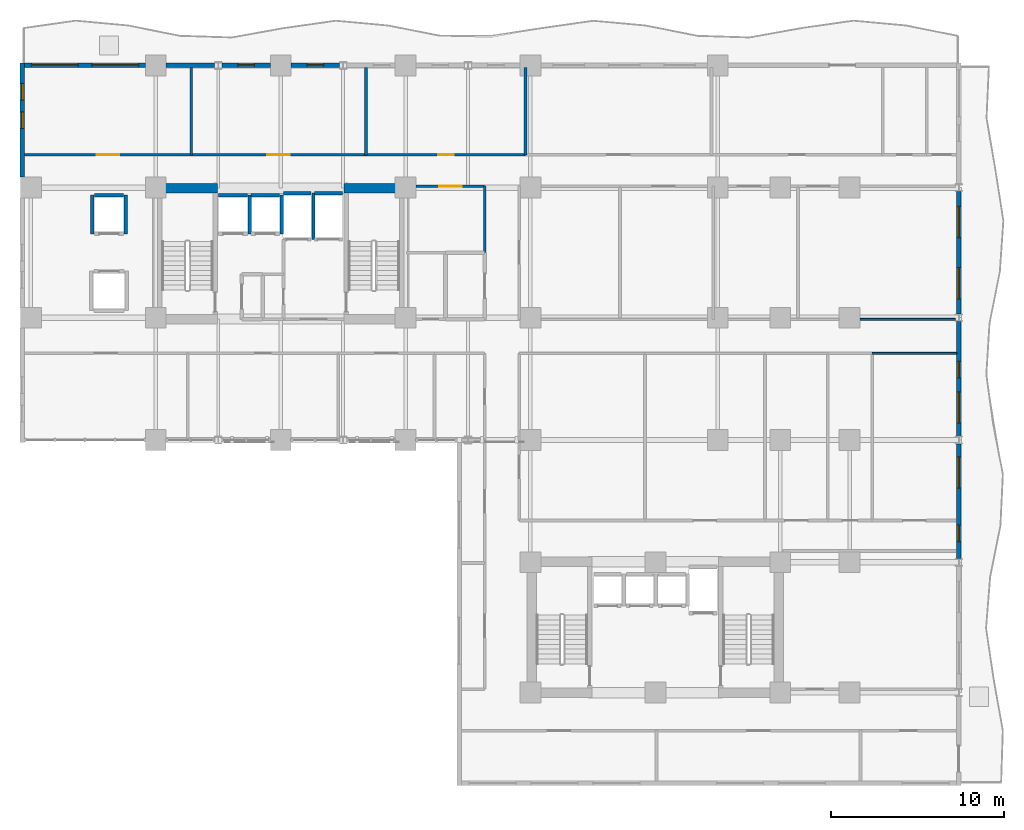
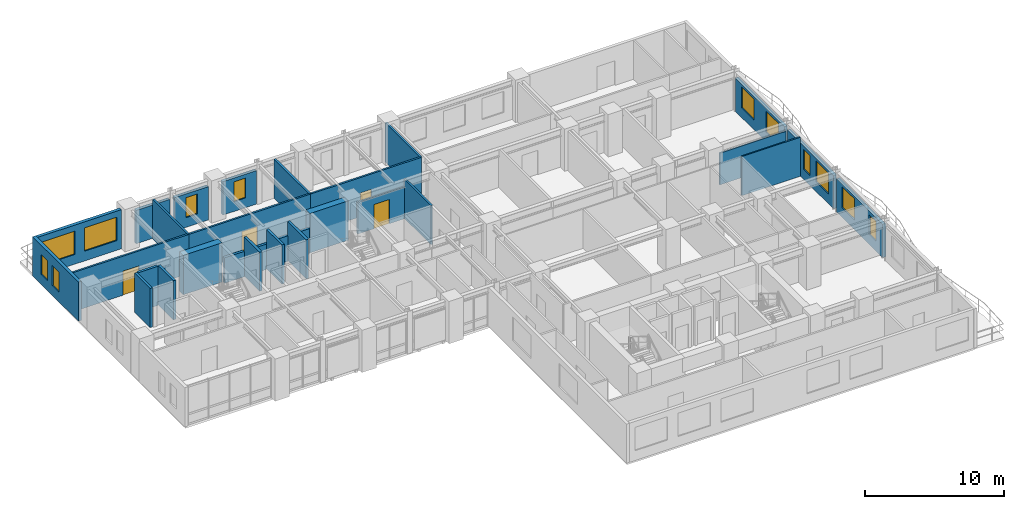
# One storey, part 11 of 16: 30 walls, 12 windows, 4 doors, 16 openings.
"""IFC4 building model written with IfcOpenShell, lengths in metres."""

import ifcopenshell
import ifcopenshell.guid

model = None  # the IFC model being written
_history = None  # IfcOwnerHistory: only IFC2X3 demands one
_inside = {}  # id of a spatial element -> (the spatial element, [elements in it])
_under = {}  # id of a project, library or spatial element -> (it, [spatial elements below it])
_declared = {}  # id of a project -> (the project, [libraries it declares])
_typed = {}  # id of a type object -> (the type object, [elements of that type])
_made_of = {}  # id of a material, layer set ... -> (it, [elements and type objects made of it])


def new_model(schema):
    """Start an empty IFC model of exactly this schema.

    Asked for "IFC4X3", IfcOpenShell would pick the latest addendum, in which some entities
    have other attributes; the version numbers below select the first issue.
    IFC2X3 requires an IfcOwnerHistory on every rooted entity: one is made here for all.
    """
    global model, _history
    if schema == "IFC4X3":
        model = ifcopenshell.file(schema_version=(4, 3, 0, 0))
    else:
        model = ifcopenshell.file(schema=schema)
    _inside.clear()
    _under.clear()
    _declared.clear()
    _typed.clear()
    _made_of.clear()
    _history = None
    if model.schema == "IFC2X3":
        org = make("IfcOrganization", Name="unknown")
        user = make(
            "IfcPersonAndOrganization",
            ThePerson=make("IfcPerson", FamilyName="unknown"),
            TheOrganization=org,
        )
        app = make(
            "IfcApplication",
            ApplicationDeveloper=org,
            Version="unknown",
            ApplicationFullName="unknown",
            ApplicationIdentifier="unknown",
        )
        _history = make(
            "IfcOwnerHistory",
            OwningUser=user,
            OwningApplication=app,
            ChangeAction="ADDED",
            CreationDate=0,
        )
    return model


def make(cls, **values):
    """One entity of the class cls with the attributes given. An attribute that is None is left unset."""
    return model.create_entity(
        cls, **{name: value for name, value in values.items() if value is not None}
    )


def rooted(cls, **values):
    """An entity with a GlobalId (a new one), such as an element, a storey or a relation."""
    return make(cls, GlobalId=ifcopenshell.guid.new(), OwnerHistory=_history, **values)


def si_unit(unit_type, name, prefix=None):
    """IfcSIUnit, for example si_unit("LENGTHUNIT", "METRE", prefix="MILLI")."""
    return make("IfcSIUnit", UnitType=unit_type, Prefix=prefix, Name=name)


def assignment(units):
    """IfcUnitAssignment: the units of a project."""
    return None if units is None else make("IfcUnitAssignment", Units=units)


def point(xyz):
    """IfcCartesianPoint."""
    return None if xyz is None else make("IfcCartesianPoint", Coordinates=xyz)


def direction(xyz):
    """IfcDirection."""
    return None if xyz is None else make("IfcDirection", DirectionRatios=xyz)


def frame(location, z_axis=None, x_axis=None):
    """IfcAxis2Placement3D, a coordinate frame: its origin and axes. An axis left out is left unset."""
    return make(
        "IfcAxis2Placement3D",
        Location=point(location),
        Axis=direction(z_axis),
        RefDirection=direction(x_axis),
    )


def frame_2d(location, x_axis=None):
    """IfcAxis2Placement2D, a coordinate frame in the plane: its origin and x axis."""
    return make(
        "IfcAxis2Placement2D", Location=point(location), RefDirection=direction(x_axis)
    )


def origin():
    """The frame at (0, 0, 0) with its axes left unset."""
    return frame((0.0, 0.0, 0.0))


def place(relative_to, where):
    """IfcLocalPlacement: puts the frame where relative to a parent placement (None: the world)."""
    return make(
        "IfcLocalPlacement", PlacementRelTo=relative_to, RelativePlacement=where
    )


def context(
    kind, dimensions, precision=None, world=None, true_north=None, identifier=None
):
    """IfcGeometricRepresentationContext, for example the 3D "Model" context."""
    return make(
        "IfcGeometricRepresentationContext",
        ContextIdentifier=identifier,
        ContextType=kind,
        CoordinateSpaceDimension=dimensions,
        Precision=precision,
        WorldCoordinateSystem=world,
        TrueNorth=true_north,
    )


def subcontext(parent, identifier, kind, view, scale=None):
    """IfcGeometricRepresentationSubContext, for example "Body" below "Model"."""
    return make(
        "IfcGeometricRepresentationSubContext",
        ContextIdentifier=identifier,
        ContextType=kind,
        ParentContext=parent,
        TargetScale=scale,
        TargetView=view,
    )


def project(units=None, contexts=None):
    """IfcProject with its units and contexts."""
    return rooted(
        "IfcProject",
        Name="project",
        RepresentationContexts=contexts,
        UnitsInContext=assignment(units),
    )


def spatial(cls, under=None, at=None, **own):
    """A site, building, storey or space (cls), placed at a placement, below another one or the project."""
    s = rooted(cls, ObjectPlacement=at, **own)
    if under is not None:
        _under.setdefault(under.id(), (under, []))[1].append(s)
    return s


def profile(cls, at=None, kind="AREA", **sizes):
    """A parametric profile (cls). Its sizes go by their IFC names, for example OverallWidth=200.0."""
    return make(cls, ProfileType=kind, Position=at, **sizes)


def rectangle(**sizes):
    """IfcRectangleProfileDef."""
    return profile("IfcRectangleProfileDef", **sizes)


def extrude(swept, where, along, depth):
    """IfcExtrudedAreaSolid: the profile swept, set in the frame where, extruded along a direction by depth."""
    return make(
        "IfcExtrudedAreaSolid",
        SweptArea=swept,
        Position=where,
        ExtrudedDirection=direction(along),
        Depth=depth,
    )


def shape(context_of_items, identifier, shape_type, items):
    """IfcShapeRepresentation: the items that make up one representation, for example the "Body"."""
    return make(
        "IfcShapeRepresentation",
        ContextOfItems=context_of_items,
        RepresentationIdentifier=identifier,
        RepresentationType=shape_type,
        Items=items,
    )


def material(Name=None, Category=None):
    """IfcMaterial."""
    return make("IfcMaterial", Name=Name, Category=Category)


def layer(
    of_material, thickness, ventilated=None, Name=None, Category=None, Priority=None
):
    """IfcMaterialLayer: one layer of a wall or slab, of a material (None: an air gap)."""
    return make(
        "IfcMaterialLayer",
        Material=of_material,
        LayerThickness=thickness,
        IsVentilated=ventilated,
        Name=Name,
        Category=Category,
        Priority=Priority,
    )


def layer_set(layers, Name=None):
    """IfcMaterialLayerSet."""
    return make("IfcMaterialLayerSet", MaterialLayers=layers, LayerSetName=Name)


def made_of(thing, what):
    """Note that an element or type object is made of a material, layer set ...; save() writes the relation."""
    if what is not None:
        _made_of.setdefault(what.id(), (what, []))[1].append(thing)
    return thing


def type_object(cls, material=None, **own):
    """A type object (cls), such as IfcWallType, which elements share."""
    return made_of(rooted(cls, **own), material)


def element(
    cls,
    number,
    at=None,
    inside=None,
    cuts=None,
    type_object=None,
    material=None,
    context=None,
    identifier="Body",
    shape_type=None,
    held_by="IfcProductDefinitionShape",
    body=None,
    shapes=None,
    **own,
):
    """One element of the class cls, such as IfcWall. Its Tag is "e" and its number.

    at: its placement. inside: the storey or other place that contains it. cuts: it is an
    opening in that element (IfcRelVoidsElement). A single representation is given by context,
    identifier, shape_type and body (its items); several are given by shapes. held_by: the class
    of the entity that holds the representations. save() writes the other relations.
    """
    e = rooted(cls, Tag="e%d" % number, ObjectPlacement=at, **own)
    if body is not None:
        shapes = [shape(context, identifier, shape_type, body)]
    if shapes is not None:
        e.Representation = make(held_by, Representations=shapes)
    if inside is not None:
        _inside.setdefault(inside.id(), (inside, []))[1].append(e)
    if cuts is not None:
        rooted(
            "IfcRelVoidsElement", RelatingBuildingElement=cuts, RelatedOpeningElement=e
        )
    if type_object is not None:
        _typed.setdefault(type_object.id(), (type_object, []))[1].append(e)
    return made_of(e, material)


def fill(opening, filler):
    """IfcRelFillsElement: the door or window that sits in an opening."""
    return rooted(
        "IfcRelFillsElement",
        RelatingOpeningElement=opening,
        RelatedBuildingElement=filler,
    )


def aggregate(whole, parts):
    """IfcRelAggregates: a whole, such as a stair, and the parts it consists of."""
    return rooted("IfcRelAggregates", RelatingObject=whole, RelatedObjects=parts)


def save(model, path):
    """Write the relations noted so far, then the file.

    IfcRelAggregates (storeys below a building ...), IfcRelContainedInSpatialStructure (elements
    in a storey), IfcRelDefinesByType, IfcRelAssociatesMaterial and IfcRelDeclares: one each for
    every whole, place, type object, material and project.
    """
    for whole, parts in _under.values():
        aggregate(whole, parts)
    for where, things in _inside.values():
        rooted(
            "IfcRelContainedInSpatialStructure",
            RelatedElements=things,
            RelatingStructure=where,
        )
    for kind, things in _typed.values():
        rooted("IfcRelDefinesByType", RelatedObjects=things, RelatingType=kind)
    for what, things in _made_of.values():
        rooted("IfcRelAssociatesMaterial", RelatedObjects=things, RelatingMaterial=what)
    for by, libraries in _declared.values():
        rooted("IfcRelDeclares", RelatingContext=by, RelatedDefinitions=libraries)
    model.write(path)


model = new_model("IFC4")

# Units and contexts
model_context = context("Model", 3, precision=1e-05, world=origin(), true_north=direction((0.0, 1.0)))
body_context = subcontext(model_context, "Body", "Model", "MODEL_VIEW")
ifc_project = project(units=[si_unit("LENGTHUNIT", "METRE"), si_unit("AREAUNIT", "SQUARE_METRE"), si_unit("VOLUMEUNIT", "CUBIC_METRE"), si_unit("PLANEANGLEUNIT", "RADIAN"), si_unit("MASSUNIT", "GRAM", prefix="KILO")], contexts=[model_context])

# Site, building, storey
site_placement = place(None, origin())
site = spatial("IfcSite", under=ifc_project, at=site_placement, CompositionType="ELEMENT")
building_placement = place(site_placement, origin())
building = spatial("IfcBuilding", under=site, at=building_placement, Name="Kaliganga Portal Commons", CompositionType="ELEMENT")
storey_placement = place(building_placement, frame((0.0, 0.0, 82.300048828125)))
storey = spatial("IfcBuildingStorey", under=building, at=storey_placement, Name="L20", CompositionType="ELEMENT", Elevation=82.300048828125)

# Walls
ifc_material_1 = material(Name="Concrete C60/75", Category="concrete")
ifc_layer_1 = layer(ifc_material_1, 0.550048828125)
ifc_layer_set_1 = layer_set([ifc_layer_1], Name="Concrete C60/75")
wall_type_1 = type_object("IfcWallType", Name="WL-CORE-550", PredefinedType="SHEAR", material=ifc_layer_set_1)
for number, where, z_axis, x_axis, name in (
    (1, (14.75, 36.125, 0.0), (0.0, 0.0, 1.0), (1.0, 0.0, 0.0), "Core A N-West Shear Wall L20"),
    (2, (25.25, 36.125, 0.0), (0.0, 0.0, 1.0), (1.0, 0.0, 0.0), "Core A N-East Shear Wall L20"),
):
    element("IfcWall", number, at=place(storey_placement, frame(where, z_axis=z_axis, x_axis=x_axis)), inside=storey, type_object=wall_type_1, Name=name, PredefinedType="SHEAR", context=body_context, shape_type="SweptSolid", body=[
        extrude(rectangle(XDim=3.199951171875, YDim=0.550048828125, at=frame_2d((1.60009765625, 0.0))), origin(), (0.0, 0.0, 1.0), 3.449951171875),
    ])

# Wall, openings, windows
ifc_material_2 = material(Name="Insulated Aluminium-Clad Spandrel Assembly", Category="aluminium")
ifc_layer_2 = layer(ifc_material_2, 0.260009765625)
ifc_layer_set_2 = layer_set([ifc_layer_2], Name="Insulated Aluminium-Clad Spandrel Assembly")
wall_type_2 = type_object("IfcWallType", Name="WL-EXT-SPAND-260", PredefinedType="STANDARD", material=ifc_layer_set_2)
wall_1_placement = place(storey_placement, frame((60.699951171875, 21.384033203125, 0.0), z_axis=(0.0, 0.0, 1.0), x_axis=(0.0, -1.0, 0.0)))
wall_1 = element("IfcWall", 3, at=wall_1_placement, inside=storey, type_object=wall_type_2, Name="Exterior Envelope Wall L20 P1-E01-S3", PredefinedType="STANDARD", context=body_context, shape_type="SweptSolid", body=[
    extrude(rectangle(XDim=6.617919921875, YDim=0.260009765625, at=frame_2d((3.30908203125, 0.0))), origin(), (0.0, 0.0, 1.0), 2.929931640625),
])
opening_1_placement = place(wall_1_placement, frame((0.75439453125, 0.0, 0.85009765625)))
opening_1 = element("IfcOpeningElement", 4, at=opening_1_placement, cuts=wall_1, Name="Opening W-01", PredefinedType="OPENING", context=body_context, shape_type="SweptSolid", body=[
    extrude(rectangle(XDim=1.800048828125, YDim=1.85009765625, at=frame_2d((0.89990234375, 0.925048828125))), frame((0.0, 0.14013671875, 0.0), z_axis=(0.0, -1.0, 0.0), x_axis=(1.0, 0.0, 0.0)), (0.0, 0.0, 1.0), 0.280029296875),
])
opening_2_placement = place(wall_1_placement, frame((4.68701171875, 0.0, 0.85009765625)))
opening_2 = element("IfcOpeningElement", 5, at=opening_2_placement, cuts=wall_1, Name="Opening W-04", PredefinedType="OPENING", context=body_context, shape_type="SweptSolid", body=[
    extrude(rectangle(XDim=0.949951171875, YDim=1.75, at=frame_2d((0.47509765625, 0.875))), frame((0.0, 0.14013671875, 0.0), z_axis=(0.0, -1.0, 0.0), x_axis=(1.0, 0.0, 0.0)), (0.0, 0.0, 1.0), 0.280029296875),
])
ifc_material_3 = material(Name="Thermally Broken Aluminium and Low-E Double Glazing", Category="aluminium")
window_type_1 = type_object("IfcWindowType", Name="WIN-NARROW-950", PartitioningType="SINGLE_PANEL", PredefinedType="WINDOW", material=ifc_material_3)
window_1_placement = place(opening_2_placement, origin())
window_1 = element("IfcWindow", 6, at=window_1_placement, inside=storey, type_object=window_type_1, Name="Facade Window L20-P1E01S3-N10", OverallHeight=1.75, OverallWidth=0.949951171875, PartitioningType="SINGLE_PANEL", PredefinedType="WINDOW", context=body_context, shape_type="SweptSolid", body=[
    extrude(rectangle(XDim=0.949951171875, YDim=1.75, at=frame_2d((0.47509765625, 0.875))), frame((0.0, 0.030029296875, 0.0), z_axis=(0.0, -1.0, 0.0), x_axis=(1.0, 0.0, 0.0)), (0.0, 0.0, 1.0), 0.06005859375),
])
fill(opening_2, window_1)
window_type_2 = type_object("IfcWindowType", Name="WIN-STD-1800", PartitioningType="DOUBLE_PANEL_VERTICAL", PredefinedType="WINDOW", material=ifc_material_3)
window_2_placement = place(opening_1_placement, origin())
window_2 = element("IfcWindow", 7, at=window_2_placement, inside=storey, type_object=window_type_2, Name="Facade Window L20-P1E01S3-00", OverallHeight=1.85009765625, OverallWidth=1.800048828125, PartitioningType="SINGLE_PANEL", PredefinedType="WINDOW", context=body_context, shape_type="SweptSolid", body=[
    extrude(rectangle(XDim=1.800048828125, YDim=1.85009765625, at=frame_2d((0.89990234375, 0.925048828125))), frame((0.0, 0.030029296875, 0.0), z_axis=(0.0, -1.0, 0.0), x_axis=(1.0, 0.0, 0.0)), (0.0, 0.0, 1.0), 0.06005859375),
])
fill(opening_1, window_2)

wall_2_placement = place(storey_placement, frame((60.699951171875, 28.43408203125, 0.0), z_axis=(0.0, 0.0, 1.0), x_axis=(0.0, -1.0, 0.0)))
wall_2 = element("IfcWall", 8, at=wall_2_placement, inside=storey, type_object=wall_type_2, Name="Exterior Envelope Wall L20 P1-E01-S4", PredefinedType="STANDARD", context=body_context, shape_type="SweptSolid", body=[
    extrude(rectangle(XDim=6.6181640625, YDim=0.260009765625, at=frame_2d((3.30908203125, 0.0))), origin(), (0.0, 0.0, 1.0), 2.929931640625),
])
opening_3_placement = place(wall_2_placement, frame((4.0634765625, 0.0, 0.85009765625)))
opening_3 = element("IfcOpeningElement", 9, at=opening_3_placement, cuts=wall_2, Name="Opening W-01", PredefinedType="OPENING", context=body_context, shape_type="SweptSolid", body=[
    extrude(rectangle(XDim=1.800048828125, YDim=1.85009765625, at=frame_2d((0.89990234375, 0.925048828125))), frame((0.0, 0.14013671875, 0.0), z_axis=(0.0, -1.0, 0.0), x_axis=(1.0, 0.0, 0.0)), (0.0, 0.0, 1.0), 0.280029296875),
])
opening_4_placement = place(wall_2_placement, frame((2.3046875, 0.0, 0.85009765625)))
opening_4 = element("IfcOpeningElement", 10, at=opening_4_placement, cuts=wall_2, Name="Opening W-04", PredefinedType="OPENING", context=body_context, shape_type="SweptSolid", body=[
    extrude(rectangle(XDim=0.949951171875, YDim=1.75, at=frame_2d((0.47509765625, 0.875))), frame((0.0, 0.14013671875, 0.0), z_axis=(0.0, -1.0, 0.0), x_axis=(1.0, 0.0, 0.0)), (0.0, 0.0, 1.0), 0.280029296875),
])
window_3_placement = place(opening_4_placement, origin())
window_3 = element("IfcWindow", 11, at=window_3_placement, inside=storey, type_object=window_type_1, Name="Facade Window L20-P1E01S4-N5", OverallHeight=1.75, OverallWidth=0.949951171875, PartitioningType="SINGLE_PANEL", PredefinedType="WINDOW", context=body_context, shape_type="SweptSolid", body=[
    extrude(rectangle(XDim=0.949951171875, YDim=1.75, at=frame_2d((0.47509765625, 0.875))), frame((0.0, 0.030029296875, 0.0), z_axis=(0.0, -1.0, 0.0), x_axis=(1.0, 0.0, 0.0)), (0.0, 0.0, 1.0), 0.06005859375),
])
fill(opening_4, window_3)
window_4_placement = place(opening_3_placement, origin())
window_4 = element("IfcWindow", 12, at=window_4_placement, inside=storey, type_object=window_type_2, Name="Facade Window L20-P1E01S4-01", OverallHeight=1.85009765625, OverallWidth=1.800048828125, PartitioningType="SINGLE_PANEL", PredefinedType="WINDOW", context=body_context, shape_type="SweptSolid", body=[
    extrude(rectangle(XDim=1.800048828125, YDim=1.85009765625, at=frame_2d((0.89990234375, 0.925048828125))), frame((0.0, 0.030029296875, 0.0), z_axis=(0.0, -1.0, 0.0), x_axis=(1.0, 0.0, 0.0)), (0.0, 0.0, 1.0), 0.06005859375),
])
fill(opening_3, window_4)

wall_3_placement = place(storey_placement, frame((60.699951171875, 35.93408203125, 0.0), z_axis=(0.0, 0.0, 1.0), x_axis=(0.0, -1.0, 0.0)))
wall_3 = element("IfcWall", 13, at=wall_3_placement, inside=storey, type_object=wall_type_2, Name="Exterior Envelope Wall L20 P1-E01-S5", PredefinedType="STANDARD", context=body_context, shape_type="SweptSolid", body=[
    extrude(rectangle(XDim=7.068115234375, YDim=0.260009765625, at=frame_2d((3.5341796875, 0.0))), origin(), (0.0, 0.0, 1.0), 2.929931640625),
])
opening_5_placement = place(wall_3_placement, frame((0.866943359375, 0.0, 0.85009765625)))
opening_5 = element("IfcOpeningElement", 14, at=opening_5_placement, cuts=wall_3, Name="Opening W-01", PredefinedType="OPENING", context=body_context, shape_type="SweptSolid", body=[
    extrude(rectangle(XDim=1.800048828125, YDim=1.85009765625, at=frame_2d((0.89990234375, 0.925048828125))), frame((0.0, 0.14013671875, 0.0), z_axis=(0.0, -1.0, 0.0), x_axis=(1.0, 0.0, 0.0)), (0.0, 0.0, 1.0), 0.280029296875),
])
opening_6_placement = place(wall_3_placement, frame((4.40087890625, 0.0, 0.85009765625)))
opening_6 = element("IfcOpeningElement", 15, at=opening_6_placement, cuts=wall_3, Name="Opening W-01", PredefinedType="OPENING", context=body_context, shape_type="SweptSolid", body=[
    extrude(rectangle(XDim=1.800048828125, YDim=1.85009765625, at=frame_2d((0.89990234375, 0.925048828125))), frame((0.0, 0.14013671875, 0.0), z_axis=(0.0, -1.0, 0.0), x_axis=(1.0, 0.0, 0.0)), (0.0, 0.0, 1.0), 0.280029296875),
])
window_5_placement = place(opening_5_placement, origin())
window_5 = element("IfcWindow", 16, at=window_5_placement, inside=storey, type_object=window_type_2, Name="Facade Window L20-P1E01S5-00", OverallHeight=1.85009765625, OverallWidth=1.800048828125, PartitioningType="SINGLE_PANEL", PredefinedType="WINDOW", context=body_context, shape_type="SweptSolid", body=[
    extrude(rectangle(XDim=1.800048828125, YDim=1.85009765625, at=frame_2d((0.89990234375, 0.925048828125))), frame((0.0, 0.030029296875, 0.0), z_axis=(0.0, -1.0, 0.0), x_axis=(1.0, 0.0, 0.0)), (0.0, 0.0, 1.0), 0.06005859375),
])
fill(opening_5, window_5)
window_6_placement = place(opening_6_placement, origin())
window_6 = element("IfcWindow", 17, at=window_6_placement, inside=storey, type_object=window_type_2, Name="Facade Window L20-P1E01S5-01", OverallHeight=1.85009765625, OverallWidth=1.800048828125, PartitioningType="SINGLE_PANEL", PredefinedType="WINDOW", context=body_context, shape_type="SweptSolid", body=[
    extrude(rectangle(XDim=1.800048828125, YDim=1.85009765625, at=frame_2d((0.89990234375, 0.925048828125))), frame((0.0, 0.030029296875, 0.0), z_axis=(0.0, -1.0, 0.0), x_axis=(1.0, 0.0, 0.0)), (0.0, 0.0, 1.0), 0.06005859375),
])
fill(opening_6, window_6)

# Wall, opening, window
wall_4_placement = place(storey_placement, frame((22.200927734375, 43.199951171875, 0.0), z_axis=(0.0, 0.0, 1.0), x_axis=(1.0, 0.0, 0.0)))
wall_4 = element("IfcWall", 18, at=wall_4_placement, inside=storey, type_object=wall_type_2, Name="Exterior Envelope Wall L20 P1-E02-S6", PredefinedType="STANDARD", context=body_context, shape_type="SweptSolid", body=[
    extrude(rectangle(XDim=2.79345703125, YDim=0.260009765625, at=frame_2d((1.396728515625, 0.0))), origin(), (0.0, 0.0, 1.0), 2.929931640625),
])
opening_7_placement = place(wall_4_placement, frame((0.921630859375, 0.0, 0.85009765625)))
opening_7 = element("IfcOpeningElement", 19, at=opening_7_placement, cuts=wall_4, Name="Opening W-04", PredefinedType="OPENING", context=body_context, shape_type="SweptSolid", body=[
    extrude(rectangle(XDim=0.949951171875, YDim=1.75, at=frame_2d((0.47509765625, 0.875))), frame((0.0, 0.14013671875, 0.0), z_axis=(0.0, -1.0, 0.0), x_axis=(1.0, 0.0, 0.0)), (0.0, 0.0, 1.0), 0.280029296875),
])
window_7_placement = place(opening_7_placement, origin())
window_7 = element("IfcWindow", 20, at=window_7_placement, inside=storey, type_object=window_type_1, Name="Facade Window L20-P1E02S6-00", OverallHeight=1.75, OverallWidth=0.949951171875, PartitioningType="SINGLE_PANEL", PredefinedType="WINDOW", context=body_context, shape_type="SweptSolid", body=[
    extrude(rectangle(XDim=0.949951171875, YDim=1.75, at=frame_2d((0.47509765625, 0.875))), frame((0.0, 0.030029296875, 0.0), z_axis=(0.0, -1.0, 0.0), x_axis=(1.0, 0.0, 0.0)), (0.0, 0.0, 1.0), 0.06005859375),
])
fill(opening_7, window_7)

wall_5_placement = place(storey_placement, frame((18.20556640625, 43.199951171875, 0.0), z_axis=(0.0, 0.0, 1.0), x_axis=(1.0, 0.0, 0.0)))
wall_5 = element("IfcWall", 21, at=wall_5_placement, inside=storey, type_object=wall_type_2, Name="Exterior Envelope Wall L20 P1-E02-S7", PredefinedType="STANDARD", context=body_context, shape_type="SweptSolid", body=[
    extrude(rectangle(XDim=2.79345703125, YDim=0.260009765625, at=frame_2d((1.396728515625, 0.0))), origin(), (0.0, 0.0, 1.0), 2.929931640625),
])
opening_8_placement = place(wall_5_placement, frame((0.921630859375, 0.0, 0.85009765625)))
opening_8 = element("IfcOpeningElement", 22, at=opening_8_placement, cuts=wall_5, Name="Opening W-04", PredefinedType="OPENING", context=body_context, shape_type="SweptSolid", body=[
    extrude(rectangle(XDim=0.949951171875, YDim=1.75, at=frame_2d((0.47509765625, 0.875))), frame((0.0, 0.14013671875, 0.0), z_axis=(0.0, -1.0, 0.0), x_axis=(1.0, 0.0, 0.0)), (0.0, 0.0, 1.0), 0.280029296875),
])
window_8_placement = place(opening_8_placement, origin())
window_8 = element("IfcWindow", 23, at=window_8_placement, inside=storey, type_object=window_type_1, Name="Facade Window L20-P1E02S7-00", OverallHeight=1.75, OverallWidth=0.949951171875, PartitioningType="SINGLE_PANEL", PredefinedType="WINDOW", context=body_context, shape_type="SweptSolid", body=[
    extrude(rectangle(XDim=0.949951171875, YDim=1.75, at=frame_2d((0.47509765625, 0.875))), frame((0.0, 0.030029296875, 0.0), z_axis=(0.0, -1.0, 0.0), x_axis=(1.0, 0.0, 0.0)), (0.0, 0.0, 1.0), 0.06005859375),
])
fill(opening_8, window_8)

# Wall
wall_6_placement = place(storey_placement, frame((15.0009765625, 43.199951171875, 0.0), z_axis=(0.0, 0.0, 1.0), x_axis=(1.0, 0.0, 0.0)))
element("IfcWall", 24, at=wall_6_placement, inside=storey, type_object=wall_type_2, Name="Exterior Envelope Wall L20 P1-E02-S8", PredefinedType="STANDARD", context=body_context, shape_type="SweptSolid", body=[
    extrude(rectangle(XDim=2.79345703125, YDim=0.260009765625, at=frame_2d((1.396728515625, 0.0))), origin(), (0.0, 0.0, 1.0), 2.929931640625),
])

# Wall, openings, windows
wall_7_placement = place(storey_placement, frame((6.8349609375, 43.199951171875, 0.0), z_axis=(0.0, 0.0, 1.0), x_axis=(1.0, 0.0, 0.0)))
wall_7 = element("IfcWall", 25, at=wall_7_placement, inside=storey, type_object=wall_type_2, Name="Exterior Envelope Wall L20 P1-E02-S9", PredefinedType="STANDARD", context=body_context, shape_type="SweptSolid", body=[
    extrude(rectangle(XDim=6.964111328125, YDim=0.260009765625, at=frame_2d((3.48193359375, 0.0))), origin(), (0.0, 0.0, 1.0), 3.429931640625),
])
opening_9_placement = place(wall_7_placement, frame((0.39111328125, 0.0, 0.85009765625)))
opening_9 = element("IfcOpeningElement", 26, at=opening_9_placement, cuts=wall_7, Name="Opening W-07", PredefinedType="OPENING", context=body_context, shape_type="SweptSolid", body=[
    extrude(rectangle(XDim=2.699951171875, YDim=2.050048828125, at=frame_2d((1.35009765625, 1.02490234375))), frame((0.0, 0.14013671875, 0.0), z_axis=(0.0, -1.0, 0.0), x_axis=(1.0, 0.0, 0.0)), (0.0, 0.0, 1.0), 0.280029296875),
])
opening_10_placement = place(wall_7_placement, frame((3.873046875, 0.0, 0.85009765625)))
opening_10 = element("IfcOpeningElement", 27, at=opening_10_placement, cuts=wall_7, Name="Opening W-07", PredefinedType="OPENING", context=body_context, shape_type="SweptSolid", body=[
    extrude(rectangle(XDim=2.699951171875, YDim=2.050048828125, at=frame_2d((1.35009765625, 1.02490234375))), frame((0.0, 0.14013671875, 0.0), z_axis=(0.0, -1.0, 0.0), x_axis=(1.0, 0.0, 0.0)), (0.0, 0.0, 1.0), 0.280029296875),
])
window_type_3 = type_object("IfcWindowType", Name="WIN-LOUNGE-2700", PartitioningType="TRIPLE_PANEL_VERTICAL", PredefinedType="WINDOW", material=ifc_material_3)
window_9_placement = place(opening_9_placement, origin())
window_9 = element("IfcWindow", 28, at=window_9_placement, inside=storey, type_object=window_type_3, Name="Facade Window L20-P1E02S9-00", OverallHeight=2.050048828125, OverallWidth=2.699951171875, PartitioningType="SINGLE_PANEL", PredefinedType="WINDOW", context=body_context, shape_type="SweptSolid", body=[
    extrude(rectangle(XDim=2.699951171875, YDim=2.050048828125, at=frame_2d((1.35009765625, 1.02490234375))), frame((0.0, 0.030029296875, 0.0), z_axis=(0.0, -1.0, 0.0), x_axis=(1.0, 0.0, 0.0)), (0.0, 0.0, 1.0), 0.06005859375),
])
fill(opening_9, window_9)
window_10_placement = place(opening_10_placement, origin())
window_10 = element("IfcWindow", 29, at=window_10_placement, inside=storey, type_object=window_type_3, Name="Facade Window L20-P1E02S9-01", OverallHeight=2.050048828125, OverallWidth=2.699951171875, PartitioningType="SINGLE_PANEL", PredefinedType="WINDOW", context=body_context, shape_type="SweptSolid", body=[
    extrude(rectangle(XDim=2.699951171875, YDim=2.050048828125, at=frame_2d((1.35009765625, 1.02490234375))), frame((0.0, 0.030029296875, 0.0), z_axis=(0.0, -1.0, 0.0), x_axis=(1.0, 0.0, 0.0)), (0.0, 0.0, 1.0), 0.06005859375),
])
fill(opening_10, window_10)

wall_8_placement = place(storey_placement, frame((6.699951171875, 36.7509765625, 0.0), z_axis=(0.0, 0.0, 1.0), x_axis=(0.0, 1.0, 0.0)))
wall_8 = element("IfcWall", 30, at=wall_8_placement, inside=storey, type_object=wall_type_2, Name="Exterior Envelope Wall L20 P1-E03-S1", PredefinedType="STANDARD", context=body_context, shape_type="SweptSolid", body=[
    extrude(rectangle(XDim=6.5791015625, YDim=0.260009765625, at=frame_2d((3.28955078125, 0.0))), origin(), (0.0, 0.0, 1.0), 3.429931640625),
])
opening_11_placement = place(wall_8_placement, frame((2.814453125, 0.0, 0.85009765625)))
opening_11 = element("IfcOpeningElement", 31, at=opening_11_placement, cuts=wall_8, Name="Opening W-04", PredefinedType="OPENING", context=body_context, shape_type="SweptSolid", body=[
    extrude(rectangle(XDim=0.949951171875, YDim=1.75, at=frame_2d((0.47509765625, 0.875))), frame((0.0, 0.14013671875, 0.0), z_axis=(0.0, -1.0, 0.0), x_axis=(1.0, 0.0, 0.0)), (0.0, 0.0, 1.0), 0.280029296875),
])
opening_12_placement = place(wall_8_placement, frame((4.446044921875, 0.0, 0.85009765625)))
opening_12 = element("IfcOpeningElement", 32, at=opening_12_placement, cuts=wall_8, Name="Opening W-04", PredefinedType="OPENING", context=body_context, shape_type="SweptSolid", body=[
    extrude(rectangle(XDim=0.949951171875, YDim=1.75, at=frame_2d((0.47509765625, 0.875))), frame((0.0, 0.14013671875, 0.0), z_axis=(0.0, -1.0, 0.0), x_axis=(1.0, 0.0, 0.0)), (0.0, 0.0, 1.0), 0.280029296875),
])
window_11_placement = place(opening_11_placement, origin())
window_11 = element("IfcWindow", 33, at=window_11_placement, inside=storey, type_object=window_type_1, Name="Facade Window L20-P1E03S1-N0", OverallHeight=1.75, OverallWidth=0.949951171875, PartitioningType="SINGLE_PANEL", PredefinedType="WINDOW", context=body_context, shape_type="SweptSolid", body=[
    extrude(rectangle(XDim=0.949951171875, YDim=1.75, at=frame_2d((0.47509765625, 0.875))), frame((0.0, 0.030029296875, 0.0), z_axis=(0.0, -1.0, 0.0), x_axis=(1.0, 0.0, 0.0)), (0.0, 0.0, 1.0), 0.06005859375),
])
fill(opening_11, window_11)
window_12_placement = place(opening_12_placement, origin())
window_12 = element("IfcWindow", 34, at=window_12_placement, inside=storey, type_object=window_type_1, Name="Facade Window L20-P1E03S1-N2", OverallHeight=1.75, OverallWidth=0.949951171875, PartitioningType="SINGLE_PANEL", PredefinedType="WINDOW", context=body_context, shape_type="SweptSolid", body=[
    extrude(rectangle(XDim=0.949951171875, YDim=1.75, at=frame_2d((0.47509765625, 0.875))), frame((0.0, 0.030029296875, 0.0), z_axis=(0.0, -1.0, 0.0), x_axis=(1.0, 0.0, 0.0)), (0.0, 0.0, 1.0), 0.06005859375),
])
fill(opening_12, window_12)

# Wall, opening, door
ifc_material_4 = material(Name="Fire-Rated Gypsum Board on Steel Stud", Category="steel")
ifc_layer_3 = layer(ifc_material_4, 0.14990234375)
ifc_layer_set_3 = layer_set([ifc_layer_3], Name="Fire-Rated Gypsum Board on Steel Stud")
wall_type_3 = type_object("IfcWallType", Name="WL-PART-CORR-150", PredefinedType="PARTITIONING", material=ifc_layer_set_3)
wall_9_placement = place(storey_placement, frame((16.43994140625, 38.0400390625, 0.0), z_axis=(0.0, 0.0, 1.0), x_axis=(1.0, 0.0, 0.0)))
wall_9 = element("IfcWall", 35, at=wall_9_placement, inside=storey, type_object=wall_type_3, Name="Interior Partition L20-007", PredefinedType="PARTITIONING", context=body_context, shape_type="SweptSolid", body=[
    extrude(rectangle(XDim=10.080078125, YDim=0.14990234375, at=frame_2d((5.0400390625, 0.0))), origin(), (0.0, 0.0, 1.0), 3.429931640625),
])
opening_13_placement = place(wall_9_placement, frame((4.389892578125, 0.0, 0.0)))
opening_13 = element("IfcOpeningElement", 36, at=opening_13_placement, cuts=wall_9, Name="Opening RD-03", PredefinedType="OPENING", context=body_context, shape_type="SweptSolid", body=[
    extrude(rectangle(XDim=1.300048828125, YDim=2.1201171875, at=frame_2d((0.64990234375, 1.06005859375))), frame((0.0, 0.0849609375, 0.0), z_axis=(0.0, -1.0, 0.0), x_axis=(1.0, 0.0, 0.0)), (0.0, 0.0, 1.0), 0.169921875),
])
ifc_material_5 = material(Name="Glazed Timber Seminar Vision Door", Category="wood")
door_type_1 = type_object("IfcDoorType", Name="DR-STUDY-1300", OperationType="DOUBLE_DOOR_SINGLE_SWING", PredefinedType="DOOR", material=ifc_material_5)
door_1_placement = place(opening_13_placement, origin())
door_1 = element("IfcDoor", 37, at=door_1_placement, inside=storey, type_object=door_type_1, Name="Interior Door L20-AN02", OperationType="DOUBLE_DOOR_SINGLE_SWING", OverallHeight=2.1201171875, OverallWidth=1.300048828125, PredefinedType="DOOR", context=body_context, shape_type="SweptSolid", body=[
    extrude(rectangle(XDim=1.300048828125, YDim=2.1201171875, at=frame_2d((0.64990234375, 1.06005859375))), frame((0.0, 0.02490234375, 0.0), z_axis=(0.0, -1.0, 0.0), x_axis=(1.0, 0.0, 0.0)), (0.0, 0.0, 1.0), 0.050048828125),
])
fill(opening_13, door_1)

wall_10_placement = place(storey_placement, frame((6.83203125, 38.0400390625, 0.0), z_axis=(0.0, 0.0, 1.0), x_axis=(1.0, 0.0, 0.0)))
wall_10 = element("IfcWall", 38, at=wall_10_placement, inside=storey, type_object=wall_type_3, Name="Interior Partition L20-009", PredefinedType="PARTITIONING", context=body_context, shape_type="SweptSolid", body=[
    extrude(rectangle(XDim=9.60791015625, YDim=0.14990234375, at=frame_2d((4.803955078125, 0.0))), origin(), (0.0, 0.0, 1.0), 3.429931640625),
])
opening_14_placement = place(wall_10_placement, frame((4.154052734375, 0.0, 0.0)))
opening_14 = element("IfcOpeningElement", 39, at=opening_14_placement, cuts=wall_10, Name="Opening RD-03", PredefinedType="OPENING", context=body_context, shape_type="SweptSolid", body=[
    extrude(rectangle(XDim=1.300048828125, YDim=2.1201171875, at=frame_2d((0.64990234375, 1.06005859375))), frame((0.0, 0.0849609375, 0.0), z_axis=(0.0, -1.0, 0.0), x_axis=(1.0, 0.0, 0.0)), (0.0, 0.0, 1.0), 0.169921875),
])
door_2_placement = place(opening_14_placement, origin())
door_2 = element("IfcDoor", 40, at=door_2_placement, inside=storey, type_object=door_type_1, Name="Interior Door L20-AN01", OperationType="DOUBLE_DOOR_SINGLE_SWING", OverallHeight=2.1201171875, OverallWidth=1.300048828125, PredefinedType="DOOR", context=body_context, shape_type="SweptSolid", body=[
    extrude(rectangle(XDim=1.300048828125, YDim=2.1201171875, at=frame_2d((0.64990234375, 1.06005859375))), frame((0.0, 0.02490234375, 0.0), z_axis=(0.0, -1.0, 0.0), x_axis=(1.0, 0.0, 0.0)), (0.0, 0.0, 1.0), 0.050048828125),
])
fill(opening_14, door_2)

wall_11_placement = place(storey_placement, frame((26.52001953125, 38.0400390625, 0.0), z_axis=(0.0, 0.0, 1.0), x_axis=(1.0, 0.0, 0.0)))
wall_11 = element("IfcWall", 41, at=wall_11_placement, inside=storey, type_object=wall_type_3, Name="Interior Partition L20-014", PredefinedType="PARTITIONING", context=body_context, shape_type="SweptSolid", body=[
    extrude(rectangle(XDim=9.199951171875, YDim=0.14990234375, at=frame_2d((4.60009765625, 0.0))), origin(), (0.0, 0.0, 1.0), 3.429931640625),
])
opening_15_placement = place(wall_11_placement, frame((4.14990234375, 0.0, 0.0)))
opening_15 = element("IfcOpeningElement", 42, at=opening_15_placement, cuts=wall_11, Name="Opening RD-01", PredefinedType="OPENING", context=body_context, shape_type="SweptSolid", body=[
    extrude(rectangle(XDim=0.89990234375, YDim=2.080078125, at=frame_2d((0.449951171875, 1.0400390625))), frame((0.0, 0.0849609375, 0.0), z_axis=(0.0, -1.0, 0.0), x_axis=(1.0, 0.0, 0.0)), (0.0, 0.0, 1.0), 0.169921875),
])
ifc_material_6 = material(Name="Engineered Timber Flush Door", Category="wood")
door_type_2 = type_object("IfcDoorType", Name="DR-ROOM-900", OperationType="NOTDEFINED", PredefinedType="DOOR", material=ifc_material_6)
door_3_placement = place(opening_15_placement, origin())
door_3 = element("IfcDoor", 43, at=door_3_placement, inside=storey, type_object=door_type_2, Name="Interior Door L20-AN03", OperationType="SINGLE_SWING_RIGHT", OverallHeight=2.080078125, OverallWidth=0.89990234375, PredefinedType="DOOR", context=body_context, shape_type="SweptSolid", body=[
    extrude(rectangle(XDim=0.89990234375, YDim=2.080078125, at=frame_2d((0.449951171875, 1.0400390625))), frame((0.0, 0.02490234375, 0.0), z_axis=(0.0, -1.0, 0.0), x_axis=(1.0, 0.0, 0.0)), (0.0, 0.0, 1.0), 0.050048828125),
])
fill(opening_15, door_3)

wall_12_placement = place(storey_placement, frame((29.39990234375, 36.239990234375, 0.0), z_axis=(0.0, 0.0, 1.0), x_axis=(1.0, 0.0, 0.0)))
wall_12 = element("IfcWall", 44, at=wall_12_placement, inside=storey, type_object=wall_type_3, Name="Interior Partition L20-029", PredefinedType="PARTITIONING", context=body_context, shape_type="SweptSolid", body=[
    extrude(rectangle(XDim=3.960205078125, YDim=0.14990234375, at=frame_2d((1.97998046875, 0.0))), origin(), (0.0, 0.0, 1.0), 2.780029296875),
])
opening_16_placement = place(wall_12_placement, frame((1.330078125, 0.0, 0.0)))
opening_16 = element("IfcOpeningElement", 45, at=opening_16_placement, cuts=wall_12, Name="Opening RD-03", PredefinedType="OPENING", context=body_context, shape_type="SweptSolid", body=[
    extrude(rectangle(XDim=1.300048828125, YDim=2.1201171875, at=frame_2d((0.64990234375, 1.06005859375))), frame((0.0, 0.0849609375, 0.0), z_axis=(0.0, -1.0, 0.0), x_axis=(1.0, 0.0, 0.0)), (0.0, 0.0, 1.0), 0.169921875),
])
door_4_placement = place(opening_16_placement, origin())
door_4 = element("IfcDoor", 46, at=door_4_placement, inside=storey, type_object=door_type_1, Name="Interior Door L20-CSRV_A2", OperationType="DOUBLE_DOOR_SINGLE_SWING", OverallHeight=2.1201171875, OverallWidth=1.300048828125, PredefinedType="DOOR", context=body_context, shape_type="SweptSolid", body=[
    extrude(rectangle(XDim=1.300048828125, YDim=2.1201171875, at=frame_2d((0.64990234375, 1.06005859375))), frame((0.0, 0.02490234375, 0.0), z_axis=(0.0, -1.0, 0.0), x_axis=(1.0, 0.0, 0.0)), (0.0, 0.0, 1.0), 0.050048828125),
])
fill(opening_16, door_4)

# Walls
wall_13_placement = place(storey_placement, frame((33.360107421875, 32.39990234375, 0.0), z_axis=(0.0, 0.0, 1.0), x_axis=(0.0, 1.0, 0.0)))
element("IfcWall", 47, at=wall_13_placement, inside=storey, type_object=wall_type_3, Name="Interior Partition L20-030", PredefinedType="PARTITIONING", context=body_context, shape_type="SweptSolid", body=[
    extrude(rectangle(XDim=3.840087890625, YDim=0.14990234375, at=frame_2d((1.919921875, 0.0))), origin(), (0.0, 0.0, 1.0), 3.429931640625),
])
ifc_material_7 = material(Name="Moisture-Resistant Gypsum Partition", Category="gypsum")
ifc_layer_4 = layer(ifc_material_7, 0.114990234375)
ifc_layer_set_4 = layer_set([ifc_layer_4], Name="Moisture-Resistant Gypsum Partition")
wall_type_4 = type_object("IfcWallType", Name="WL-PART-ROOM-115", PredefinedType="PARTITIONING", material=ifc_layer_set_4)
wall_14_placement = place(storey_placement, frame((55.0, 28.56005859375, 0.0), z_axis=(0.0, 0.0, 1.0), x_axis=(1.0, 0.0, 0.0)))
element("IfcWall", 48, at=wall_14_placement, inside=storey, type_object=wall_type_4, Name="Interior Partition L20-051", PredefinedType="PARTITIONING", context=body_context, shape_type="SweptSolid", body=[
    extrude(rectangle(XDim=5.49560546875, YDim=0.114990234375, at=frame_2d((2.747802734375, 0.0))), origin(), (0.0, 0.0, 1.0), 2.780029296875),
])
wall_15_placement = place(storey_placement, frame((55.699951171875, 26.60009765625, 0.0), z_axis=(0.0, 0.0, 1.0), x_axis=(1.0, 0.0, 0.0)))
element("IfcWall", 49, at=wall_15_placement, inside=storey, type_object=wall_type_4, Name="Interior Partition L20-065", PredefinedType="PARTITIONING", context=body_context, shape_type="SweptSolid", body=[
    extrude(rectangle(XDim=4.8681640625, YDim=0.114990234375, at=frame_2d((2.43408203125, 0.0))), origin(), (0.0, 0.0, 1.0), 3.429931640625),
])
ifc_material_8 = material(Name="Twin-Stud Acoustic Gypsum Partition", Category="gypsum")
ifc_layer_5 = layer(ifc_material_8, 0.1650390625)
ifc_layer_set_5 = layer_set([ifc_layer_5], Name="Twin-Stud Acoustic Gypsum Partition")
wall_type_5 = type_object("IfcWallType", Name="WL-PART-UNIT-165", PredefinedType="PARTITIONING", material=ifc_layer_set_5)
for number, where, z_axis, x_axis, name in (
    (50, (16.43994140625, 38.0400390625, 0.0), (0.0, 0.0, 1.0), (0.0, 1.0, 0.0), "Interior Partition L20-059"),
    (51, (26.52001953125, 38.0400390625, 0.0), (0.0, 0.0, 1.0), (0.0, 1.0, 0.0), "Interior Partition L20-060"),
    (52, (35.719970703125, 38.0400390625, 0.0), (0.0, 0.0, 1.0), (0.0, 1.0, 0.0), "Interior Partition L20-061"),
):
    element("IfcWall", number, at=place(storey_placement, frame(where, z_axis=z_axis, x_axis=x_axis)), inside=storey, type_object=wall_type_5, Name=name, PredefinedType="PARTITIONING", context=body_context, shape_type="SweptSolid", body=[
        extrude(rectangle(XDim=5.028076171875, YDim=0.1650390625, at=frame_2d((2.51416015625, 0.0))), origin(), (0.0, 0.0, 1.0), 3.429931640625),
    ])
ifc_material_9 = material(Name="Fire-Rated Shaftwall Masonry Assembly", Category="masonry")
ifc_layer_6 = layer(ifc_material_9, 0.199951171875)
ifc_layer_set_6 = layer_set([ifc_layer_6], Name="Fire-Rated Shaftwall Masonry Assembly")
wall_type_6 = type_object("IfcWallType", Name="WL-SHAFT-200", PredefinedType="PARTITIONING", material=ifc_layer_set_6)
wall_16_placement = place(storey_placement, frame((18.02490234375, 35.715087890625, 0.0), z_axis=(0.0, 0.0, 1.0), x_axis=(1.0, 0.0, 0.0)))
element("IfcWall", 53, at=wall_16_placement, inside=storey, type_object=wall_type_6, Name="Lift PL-A1 Hoistway Shaft Wall L20-N", PredefinedType="PARTITIONING", context=body_context, shape_type="SweptSolid", body=[
    extrude(rectangle(XDim=1.650146484375, YDim=0.199951171875, at=frame_2d((0.8251953125, 0.0))), origin(), (0.0, 0.0, 1.0), 2.22998046875),
])
wall_17_placement = place(storey_placement, frame((19.81494140625, 33.485107421875, 0.0), z_axis=(0.0, 0.0, 1.0), x_axis=(0.0, 1.0, 0.0)))
element("IfcWall", 54, at=wall_17_placement, inside=storey, type_object=wall_type_6, Name="Lift PL-A1 Hoistway Shaft Wall L20-E", PredefinedType="PARTITIONING", context=body_context, shape_type="SweptSolid", body=[
    extrude(rectangle(XDim=2.22998046875, YDim=0.199951171875, at=frame_2d((1.114990234375, 0.0))), origin(), (0.0, 0.0, 1.0), 3.429931640625),
])
wall_18_placement = place(storey_placement, frame((19.875, 35.715087890625, 0.0), z_axis=(0.0, 0.0, 1.0), x_axis=(1.0, 0.0, 0.0)))
element("IfcWall", 55, at=wall_18_placement, inside=storey, type_object=wall_type_6, Name="Lift PL-A2 Hoistway Shaft Wall L20-N", PredefinedType="PARTITIONING", context=body_context, shape_type="SweptSolid", body=[
    extrude(rectangle(XDim=1.64990234375, YDim=0.199951171875, at=frame_2d((0.824951171875, 0.0))), origin(), (0.0, 0.0, 1.0), 2.22998046875),
])
wall_19_placement = place(storey_placement, frame((21.6650390625, 33.485107421875, 0.0), z_axis=(0.0, 0.0, 1.0), x_axis=(0.0, 1.0, 0.0)))
element("IfcWall", 56, at=wall_19_placement, inside=storey, type_object=wall_type_6, Name="Lift PL-A2 Hoistway Shaft Wall L20-E", PredefinedType="PARTITIONING", context=body_context, shape_type="SweptSolid", body=[
    extrude(rectangle(XDim=2.22998046875, YDim=0.199951171875, at=frame_2d((1.114990234375, 0.0))), origin(), (0.0, 0.0, 1.0), 3.429931640625),
])
wall_20_placement = place(storey_placement, frame((10.875, 35.715087890625, 0.0), z_axis=(0.0, 0.0, 1.0), x_axis=(1.0, 0.0, 0.0)))
element("IfcWall", 57, at=wall_20_placement, inside=storey, type_object=wall_type_6, Name="Lift PL-OBS Hoistway Shaft Wall L20-N", PredefinedType="PARTITIONING", context=body_context, shape_type="SweptSolid", body=[
    extrude(rectangle(XDim=1.64990234375, YDim=0.199951171875, at=frame_2d((0.824951171875, 0.0))), origin(), (0.0, 0.0, 1.0), 3.429931640625),
])
for number, where, z_axis, x_axis, name in (
    (58, (10.735107421875, 33.485107421875, 0.0), (0.0, 0.0, 1.0), (0.0, 1.0, 0.0), "Lift PL-OBS Hoistway Shaft Wall L20-W"),
    (59, (12.6650390625, 33.485107421875, 0.0), (0.0, 0.0, 1.0), (0.0, 1.0, 0.0), "Lift PL-OBS Hoistway Shaft Wall L20-E"),
):
    element("IfcWall", number, at=place(storey_placement, frame(where, z_axis=z_axis, x_axis=x_axis)), inside=storey, type_object=wall_type_6, Name=name, PredefinedType="PARTITIONING", context=body_context, shape_type="SweptSolid", body=[
        extrude(rectangle(XDim=2.22998046875, YDim=0.199951171875, at=frame_2d((1.114990234375, 0.0))), origin(), (0.0, 0.0, 1.0), 3.429931640625),
    ])
wall_21_placement = place(storey_placement, frame((21.75, 35.840087890625, 0.0), z_axis=(0.0, 0.0, 1.0), x_axis=(1.0, 0.0, 0.0)))
element("IfcWall", 60, at=wall_21_placement, inside=storey, type_object=wall_type_6, Name="Lift FFL-1 Hoistway Shaft Wall L20-N", PredefinedType="PARTITIONING", context=body_context, shape_type="SweptSolid", body=[
    extrude(rectangle(XDim=1.60009765625, YDim=0.199951171875, at=frame_2d((0.800048828125, 0.0))), origin(), (0.0, 0.0, 1.0), 2.22998046875),
])
wall_22_placement = place(storey_placement, frame((23.489990234375, 33.159912109375, 0.0), z_axis=(0.0, 0.0, 1.0), x_axis=(0.0, 1.0, 0.0)))
element("IfcWall", 61, at=wall_22_placement, inside=storey, type_object=wall_type_6, Name="Lift FFL-1 Hoistway Shaft Wall L20-E", PredefinedType="PARTITIONING", context=body_context, shape_type="SweptSolid", body=[
    extrude(rectangle(XDim=2.68017578125, YDim=0.199951171875, at=frame_2d((1.340087890625, 0.0))), origin(), (0.0, 0.0, 1.0), 3.429931640625),
])
wall_23_placement = place(storey_placement, frame((23.550048828125, 35.840087890625, 0.0), z_axis=(0.0, 0.0, 1.0), x_axis=(1.0, 0.0, 0.0)))
element("IfcWall", 62, at=wall_23_placement, inside=storey, type_object=wall_type_6, Name="Lift FFL-2 Hoistway Shaft Wall L20-N", PredefinedType="PARTITIONING", context=body_context, shape_type="SweptSolid", body=[
    extrude(rectangle(XDim=1.599853515625, YDim=0.199951171875, at=frame_2d((0.7998046875, 0.0))), origin(), (0.0, 0.0, 1.0), 2.22998046875),
])

save(model, "model.ifc")
